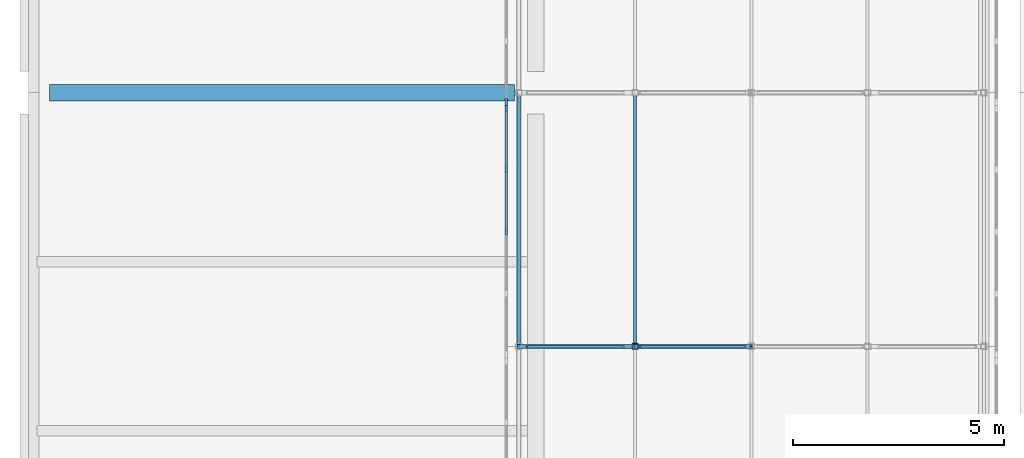
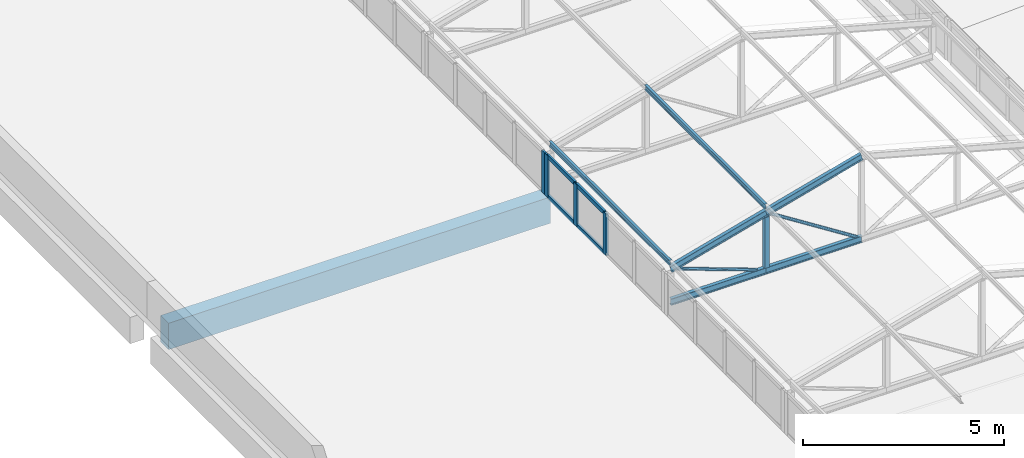
# One storey, part 52 of 94: 17 members, 1 beam, 2 elements without a shape of their own.
"""IFC4 building model written with IfcOpenShell, lengths in metres."""

from ifc_helpers import new_model, si_unit, direction, frame, origin, origin_2d, place, context, subcontext, project, spatial, rectangle, hollow_rectangle, hollow_circle, i_section, extrude, material, layer, layer_set, material_profile, profile_set, type_object, element, aggregate, save


model = new_model("IFC4")

# Units and contexts
model_context = context("Model", 3, precision=1e-05, world=origin(), true_north=direction((0.0, 1.0)))
body_context = subcontext(model_context, "Body", "Model", "MODEL_VIEW")
ifc_project = project(units=[si_unit("LENGTHUNIT", "METRE"), si_unit("AREAUNIT", "SQUARE_METRE"), si_unit("VOLUMEUNIT", "CUBIC_METRE"), si_unit("PLANEANGLEUNIT", "RADIAN"), si_unit("MASSUNIT", "GRAM", prefix="KILO")], contexts=[model_context])

# Site, building, storey
site_placement = place(None, origin())
site = spatial("IfcSite", under=ifc_project, at=site_placement, CompositionType="ELEMENT")
building_placement = place(site_placement, origin())
building = spatial("IfcBuilding", under=site, at=building_placement, Name="Lilac Gate Convention Centre", CompositionType="ELEMENT")
storey_placement = place(building_placement, frame((0.0, 0.0, 21.0)))
storey = spatial("IfcBuildingStorey", under=building, at=storey_placement, Name="L04", CompositionType="ELEMENT", Elevation=21.0)

# Curtain wall, members
ifc_material_1 = material(Name="Aluminium framed double glazing", Category="aluminium")
ifc_layer = layer(ifc_material_1, 0.199951171875)
ifc_layer_set = layer_set([ifc_layer], Name="Aluminium framed double glazing")
curtain_wall_type = type_object("IfcCurtainWallType", Name="Unitised curtain wall 1500", PredefinedType="NOTDEFINED", material=ifc_layer_set)
curtain_wall_1_placement = place(storey_placement, origin())
curtain_wall_1 = element("IfcCurtainWall", 1, at=curtain_wall_1_placement, inside=storey, type_object=curtain_wall_type, Name="Lantern clerestory W 28", PredefinedType="NOTDEFINED")
ifc_material_2 = material(Name="Aluminium alloy 6063", Category="aluminium")
ifc_material_profile_1 = material_profile(ifc_material_2, rectangle(XDim=0.06005859375, YDim=0.159912109375, at=origin_2d()), Name="Curtain wall mullion 60 x 160")
ifc_profile_set_1 = profile_set([ifc_material_profile_1], Name="Aluminium alloy 6063")
member_type_1 = type_object("IfcMemberType", Name="Curtain wall mullion 60 x 160", PredefinedType="MULLION", material=ifc_profile_set_1)
member_1_placement = place(storey_placement, frame((17.300048828125, 194.71240234375, 0.0), z_axis=(0.0, 0.0, 1.0), x_axis=(-1.0, 0.0, 0.0)))
member_1 = element("IfcMember", 2, at=member_1_placement, type_object=member_type_1, Name="CW mullion 3", PredefinedType="MULLION", context=body_context, shape_type="SweptSolid", body=[
    extrude(rectangle(XDim=0.06005859375, YDim=0.159912109375, at=origin_2d()), origin(), (0.0, 0.0, 1.0), 1.272216796875),
])
member_2_placement = place(storey_placement, frame((17.300048828125, 196.18115234375, 0.0), z_axis=(0.0, 0.0, 1.0), x_axis=(-1.0, 0.0, 0.0)))
member_2 = element("IfcMember", 3, at=member_2_placement, type_object=member_type_1, Name="CW mullion 4", PredefinedType="MULLION", context=body_context, shape_type="SweptSolid", body=[
    extrude(rectangle(XDim=0.06005859375, YDim=0.159912109375, at=origin_2d()), origin(), (0.0, 0.0, 1.0), 1.272216796875),
])
member_3_placement = place(storey_placement, frame((17.300048828125, 197.619873046875, 0.0), z_axis=(0.0, 0.0, 1.0), x_axis=(-1.0, 0.0, 0.0)))
member_3 = element("IfcMember", 4, at=member_3_placement, type_object=member_type_1, Name="CW mullion 5", PredefinedType="MULLION", context=body_context, shape_type="SweptSolid", body=[
    extrude(rectangle(XDim=0.06005859375, YDim=0.159912109375, at=origin_2d()), origin(), (0.0, 0.0, 1.0), 1.272216796875),
])

# Curtain wall, member
curtain_wall_2_placement = place(storey_placement, origin())
curtain_wall_2 = element("IfcCurtainWall", 5, at=curtain_wall_2_placement, inside=storey, type_object=curtain_wall_type, Name="Lantern clerestory W 29", PredefinedType="NOTDEFINED")
member_4_placement = place(storey_placement, frame((17.300048828125, 197.780029296875, 0.0), z_axis=(0.0, 0.0, 1.0), x_axis=(-1.0, 0.0, 0.0)))
member_4 = element("IfcMember", 6, at=member_4_placement, type_object=member_type_1, Name="CW mullion 1", PredefinedType="MULLION", context=body_context, shape_type="SweptSolid", body=[
    extrude(rectangle(XDim=0.06005859375, YDim=0.159912109375, at=origin_2d()), origin(), (0.0, 0.0, 1.0), 1.272216796875),
])
aggregate(curtain_wall_2, [member_4])

# Member
ifc_material_profile_2 = material_profile(ifc_material_2, rectangle(XDim=0.06005859375, YDim=0.1201171875, at=origin_2d()), Name="Curtain wall transom 60 x 120")
ifc_profile_set_2 = profile_set([ifc_material_profile_2], Name="Aluminium alloy 6063")
member_type_2 = type_object("IfcMemberType", Name="Curtain wall transom 60 x 120", PredefinedType="USERDEFINED", material=ifc_profile_set_2)
member_5_placement = place(storey_placement, frame((17.300048828125, 194.742431640625, 0.030029296875), z_axis=(0.0, 1.0, 0.0), x_axis=(-1.0, 0.0, 0.0)))
member_5 = element("IfcMember", 7, at=member_5_placement, type_object=member_type_2, Name="CW transom 3.1", ObjectType="TRANSOM", PredefinedType="USERDEFINED", context=body_context, shape_type="SweptSolid", body=[
    extrude(rectangle(XDim=0.06005859375, YDim=0.1201171875, at=origin_2d()), origin(), (0.0, 0.0, 1.0), 1.40869140625),
])

member_6_placement = place(storey_placement, frame((17.300048828125, 194.742431640625, 1.2421875), z_axis=(0.0, 1.0, 0.0), x_axis=(-1.0, 0.0, 0.0)))
member_6 = element("IfcMember", 8, at=member_6_placement, type_object=member_type_2, Name="CW transom 3.2", ObjectType="TRANSOM", PredefinedType="USERDEFINED", context=body_context, shape_type="SweptSolid", body=[
    extrude(rectangle(XDim=0.06005859375, YDim=0.1201171875, at=origin_2d()), origin(), (0.0, 0.0, 1.0), 1.40869140625),
])

member_7_placement = place(storey_placement, frame((17.300048828125, 196.211181640625, 0.030029296875), z_axis=(0.0, 1.0, 0.0), x_axis=(-1.0, 0.0, 0.0)))
member_7 = element("IfcMember", 9, at=member_7_placement, type_object=member_type_2, Name="CW transom 4.1", ObjectType="TRANSOM", PredefinedType="USERDEFINED", context=body_context, shape_type="SweptSolid", body=[
    extrude(rectangle(XDim=0.06005859375, YDim=0.1201171875, at=origin_2d()), origin(), (0.0, 0.0, 1.0), 1.378662109375),
])

member_8_placement = place(storey_placement, frame((17.300048828125, 196.211181640625, 1.2421875), z_axis=(0.0, 1.0, 0.0), x_axis=(-1.0, 0.0, 0.0)))
member_8 = element("IfcMember", 10, at=member_8_placement, type_object=member_type_2, Name="CW transom 4.2", ObjectType="TRANSOM", PredefinedType="USERDEFINED", context=body_context, shape_type="SweptSolid", body=[
    extrude(rectangle(XDim=0.06005859375, YDim=0.1201171875, at=origin_2d()), origin(), (0.0, 0.0, 1.0), 1.378662109375),
])

aggregate(curtain_wall_1, [member_1, member_2, member_3, member_5, member_6, member_7, member_8])

# Members
ifc_material_3 = material(Name="Steel Q355B", Category="steel")
ifc_material_profile_3 = material_profile(ifc_material_3, i_section(OverallWidth=0.10009765625, OverallDepth=0.199951171875, WebThickness=0.005615234375, FlangeThickness=0.008056640625, FilletRadius=0.008056640625, at=origin_2d()), Name="HN200x100x5.5x8")
ifc_profile_set_3 = profile_set([ifc_material_profile_3], Name="Steel Q355B")
member_type_3 = type_object("IfcMemberType", Name="Lantern bottom chord HN200x100x5.5x8", PredefinedType="CHORD", material=ifc_profile_set_3)
for number, where, z_axis, x_axis, name in (
    (11, (17.60009765625, 192.0, 0.10009765625), (1.0, 0.0, 0.0), (0.0, 1.0, 0.0), "LB1 lantern truss 28 bottom chord 1"),
    (12, (20.35009765625, 192.0, 0.10009765625), (1.0, 0.0, 0.0), (0.0, 1.0, 0.0), "LB1 lantern truss 28 bottom chord 2"),
):
    element("IfcMember", number, at=place(storey_placement, frame(where, z_axis=z_axis, x_axis=x_axis)), inside=storey, type_object=member_type_3, Name=name, PredefinedType="CHORD", context=body_context, shape_type="SweptSolid", body=[
        extrude(i_section(OverallWidth=0.10009765625, OverallDepth=0.199951171875, WebThickness=0.005615234375, FlangeThickness=0.008056640625, FilletRadius=0.008056640625, at=origin_2d()), origin(), (0.0, 0.0, 1.0), 2.75),
    ])
ifc_material_profile_4 = material_profile(ifc_material_3, hollow_circle(Radius=0.04443359375, WallThickness=0.0048828125, at=origin_2d()), Name="CHS88.9x5")
ifc_profile_set_4 = profile_set([ifc_material_profile_4], Name="Steel Q355B")
member_type_4 = type_object("IfcMemberType", Name="Lantern diagonal CHS88.9x5", PredefinedType="BRACE", material=ifc_profile_set_4)
member_9_placement = place(storey_placement, frame((17.789794921875, 192.0, 1.031005859375), z_axis=(0.939781696917, 0.0, -0.341775309434), x_axis=(0.0, 1.0, 0.0)))
element("IfcMember", 13, at=member_9_placement, inside=storey, type_object=member_type_4, Name="LW1 lantern truss 28 diagonal 1", PredefinedType="BRACE", context=body_context, shape_type="SweptSolid", body=[
    extrude(hollow_circle(Radius=0.04443359375, WallThickness=0.0048828125, at=origin_2d()), origin(), (0.0, 0.0, 1.0), 2.431640625),
])
member_10_placement = place(storey_placement, frame((20.45849609375, 192.0, 1.781005859375), z_axis=(0.843647832412, 0.0, -0.536896949951), x_axis=(0.0, 1.0, 0.0)))
element("IfcMember", 14, at=member_10_placement, inside=storey, type_object=member_type_4, Name="LW1 lantern truss 28 diagonal 2", PredefinedType="BRACE", context=body_context, shape_type="SweptSolid", body=[
    extrude(hollow_circle(Radius=0.04443359375, WallThickness=0.0048828125, at=origin_2d()), origin(), (0.0, 0.0, 1.0), 2.94482421875),
])
ifc_material_profile_5 = material_profile(ifc_material_3, hollow_rectangle(XDim=0.139892578125, YDim=0.139892578125, WallThickness=0.0048828125, InnerFilletRadius=0.0048828125, OuterFilletRadius=0.010009765625, at=origin_2d()), Name="SHS140x140x5")
ifc_profile_set_5 = profile_set([ifc_material_profile_5], Name="Steel Q355B")
member_type_5 = type_object("IfcMemberType", Name="Lantern post SHS140x140x5", PredefinedType="STRUT", material=ifc_profile_set_5)
member_11_placement = place(storey_placement, frame((20.35009765625, 192.0, 0.199951171875), z_axis=(0.0, 0.0, 1.0), x_axis=(1.0, 0.0, 0.0)))
element("IfcMember", 15, at=member_11_placement, inside=storey, type_object=member_type_5, Name="LV1 lantern truss 28 post 2", PredefinedType="STRUT", context=body_context, shape_type="SweptSolid", body=[
    extrude(hollow_rectangle(XDim=0.139892578125, YDim=0.139892578125, WallThickness=0.0048828125, InnerFilletRadius=0.0048828125, OuterFilletRadius=0.010009765625, at=origin_2d()), origin(), (0.0, 0.0, 1.0), 1.546142578125),
])
ifc_material_profile_6 = material_profile(ifc_material_3, i_section(OverallWidth=0.074951171875, OverallDepth=0.14990234375, WebThickness=0.0048828125, FlangeThickness=0.007080078125, FilletRadius=0.008056640625, at=origin_2d()), Name="HN150x75x5x7")
ifc_profile_set_6 = profile_set([ifc_material_profile_6], Name="Steel Q355B")
member_type_6 = type_object("IfcMemberType", Name="Lantern purlin HN150x75x5x7", PredefinedType="PURLIN", material=ifc_profile_set_6)
for number, where, z_axis, x_axis, name in (
    (16, (17.60009765625, 192.0, 1.279052734375), (0.0, 1.0, 0.0), (-1.0, 0.0, 0.0), "LP1 lantern purlin bay 28 line 1"),
    (17, (20.35009765625, 192.0, 2.029052734375), (0.0, 1.0, 0.0), (-1.0, 0.0, 0.0), "LP1 lantern purlin bay 28 line 2"),
):
    element("IfcMember", number, at=place(storey_placement, frame(where, z_axis=z_axis, x_axis=x_axis)), inside=storey, type_object=member_type_6, Name=name, PredefinedType="PURLIN", context=body_context, shape_type="SweptSolid", body=[
        extrude(i_section(OverallWidth=0.074951171875, OverallDepth=0.14990234375, WebThickness=0.0048828125, FlangeThickness=0.007080078125, FilletRadius=0.008056640625, at=origin_2d()), origin(), (0.0, 0.0, 1.0), 6.0),
    ])
ifc_material_profile_7 = material_profile(ifc_material_3, i_section(OverallWidth=0.10009765625, OverallDepth=0.199951171875, WebThickness=0.005615234375, FlangeThickness=0.008056640625, FilletRadius=0.008056640625, at=origin_2d()), Name="HN200x100x5.5x8")
ifc_profile_set_7 = profile_set([ifc_material_profile_7], Name="Steel Q355B")
member_type_7 = type_object("IfcMemberType", Name="Lantern top chord HN200x100x5.5x8", PredefinedType="CHORD", material=ifc_profile_set_7)
for number, where, z_axis, x_axis, name in (
    (18, (17.60009765625, 192.0, 1.10009765625), (0.964763821238, 0.0, 0.263117405792), (0.0, 1.0, 0.0), "LT1 lantern truss 28 top chord 1"),
    (19, (20.35009765625, 192.0, 1.85009765625), (0.964763821238, 0.0, 0.263117405792), (0.0, 1.0, 0.0), "LT1 lantern truss 28 top chord 2"),
):
    element("IfcMember", number, at=place(storey_placement, frame(where, z_axis=z_axis, x_axis=x_axis)), inside=storey, type_object=member_type_7, Name=name, PredefinedType="CHORD", context=body_context, shape_type="SweptSolid", body=[
        extrude(i_section(OverallWidth=0.10009765625, OverallDepth=0.199951171875, WebThickness=0.005615234375, FlangeThickness=0.008056640625, FilletRadius=0.008056640625, at=origin_2d()), origin(), (0.0, 0.0, 1.0), 2.850341796875),
    ])

# Beam
ifc_material_4 = material(Name="Concrete C40", Category="concrete")
ifc_material_profile_8 = material_profile(ifc_material_4, rectangle(XDim=0.39990234375, YDim=0.800048828125, at=origin_2d()), Name="RC 400x800")
ifc_profile_set_8 = profile_set([ifc_material_profile_8], Name="Concrete C40")
beam_type = type_object("IfcBeamType", Name="Tower primary beam 400x800 C40", PredefinedType="BEAM", material=ifc_profile_set_8)
beam_placement = place(storey_placement, frame((6.5, 198.0, -0.60009765625), z_axis=(1.0, 0.0, 0.0), x_axis=(0.0, 1.0, 0.0)))
element("IfcBeam", 20, at=beam_placement, inside=storey, type_object=beam_type, Name="RB3 L04 1/Q-2/Q", PredefinedType="BEAM", context=body_context, shape_type="SweptSolid", body=[
    extrude(rectangle(XDim=0.39990234375, YDim=0.800048828125, at=origin_2d()), origin(), (0.0, 0.0, 1.0), 11.0),
])

save(model, "model.ifc")
